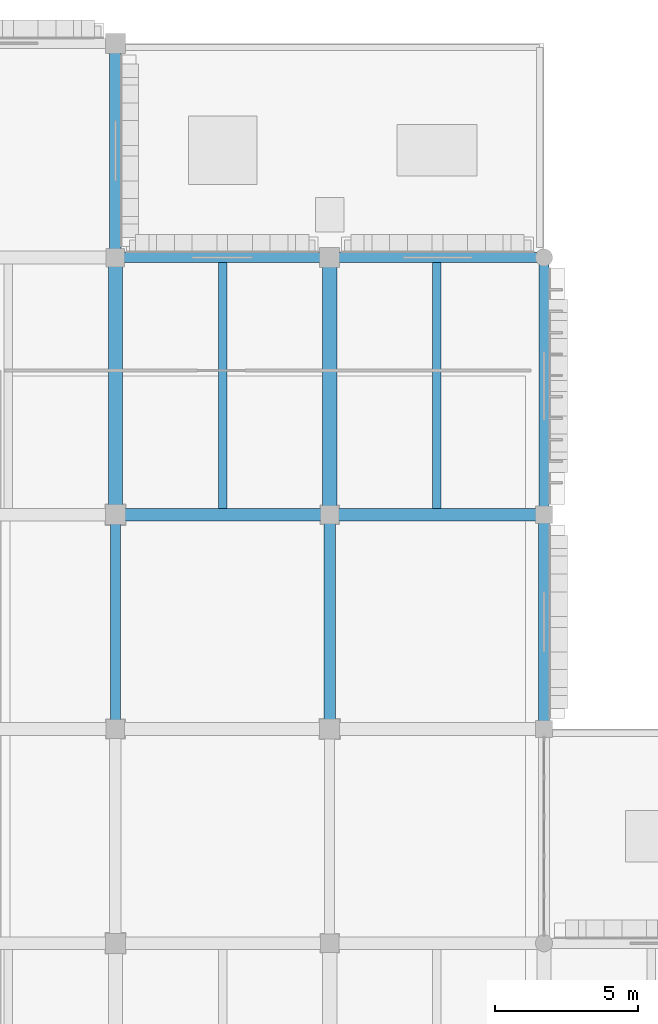
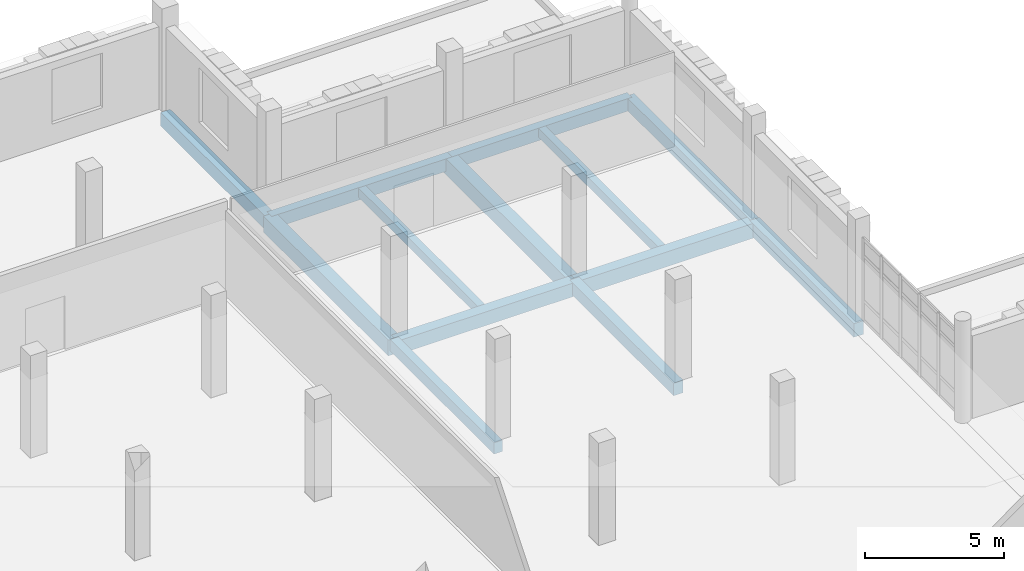
# One storey, part 70 of 128: 13 beams.
"""IFC4 building model written with IfcOpenShell, lengths in metres."""

from ifc_helpers import new_model, si_unit, direction, frame, origin, origin_2d, place, context, subcontext, project, spatial, rectangle, extrude, material, material_profile, profile_set, type_object, element, save


model = new_model("IFC4")

# Units and contexts
model_context = context("Model", 3, precision=1e-05, world=origin(), true_north=direction((0.0, 1.0)))
body_context = subcontext(model_context, "Body", "Model", "MODEL_VIEW")
ifc_project = project(units=[si_unit("LENGTHUNIT", "METRE"), si_unit("AREAUNIT", "SQUARE_METRE"), si_unit("VOLUMEUNIT", "CUBIC_METRE"), si_unit("PLANEANGLEUNIT", "RADIAN"), si_unit("MASSUNIT", "GRAM", prefix="KILO")], contexts=[model_context])

# Site, building, storey
site_placement = place(None, origin())
site = spatial("IfcSite", under=ifc_project, at=site_placement, CompositionType="ELEMENT")
building_placement = place(site_placement, origin())
building = spatial("IfcBuilding", under=site, at=building_placement, Name="Dalvernix Boulevard General Hospital", CompositionType="ELEMENT")
storey_placement = place(building_placement, frame((0.0, 0.0, 4.800048828125)))
storey = spatial("IfcBuildingStorey", under=building, at=storey_placement, Name="L01", CompositionType="ELEMENT", Elevation=4.800048828125)

# Beams
ifc_material = material(Name="Concrete C35/45", Category="concrete")
ifc_material_profile_1 = material_profile(ifc_material, rectangle(XDim=0.5, YDim=0.699951171875, at=origin_2d()), Name="RCB 500x700")
ifc_profile_set_1 = profile_set([ifc_material_profile_1], Name="Concrete C35/45")
beam_type_1 = type_object("IfcBeamType", Name="BM-B-01-I", PredefinedType="BEAM", material=ifc_profile_set_1)
for number, where, z_axis, x_axis, name in (
    (1, (127.5, 100.5, -0.650146484375), (0.0, 1.0, 0.0), (-1.0, 0.0, 0.0), "L01 N-S girder 18:P-Q"),
    (2, (135.0, 100.5, -0.650146484375), (0.0, 1.0, 0.0), (-1.0, 0.0, 0.0), "L01 N-S girder 19:P-Q"),
):
    element("IfcBeam", number, at=place(storey_placement, frame(where, z_axis=z_axis, x_axis=x_axis)), inside=storey, type_object=beam_type_1, Name=name, PredefinedType="BEAM", context=body_context, shape_type="SweptSolid", body=[
        extrude(rectangle(XDim=0.5, YDim=0.699951171875, at=origin_2d()), origin(), (0.0, 0.0, 1.0), 9.0),
    ])
ifc_material_profile_2 = material_profile(ifc_material, rectangle(XDim=0.449951171875, YDim=0.64990234375, at=origin_2d()), Name="RCB 450x650")
ifc_profile_set_2 = profile_set([ifc_material_profile_2], Name="Concrete C35/45")
beam_type_2 = type_object("IfcBeamType", Name="BM-B-03-I", PredefinedType="BEAM", material=ifc_profile_set_2)
beam_1_placement = place(storey_placement, frame((135.0, 100.5, -0.625), z_axis=(1.0, 0.0, 0.0), x_axis=(0.0, 1.0, 0.0)))
element("IfcBeam", 3, at=beam_1_placement, inside=storey, type_object=beam_type_2, Name="L01 E-W girder P:19-20", PredefinedType="BEAM", context=body_context, shape_type="SweptSolid", body=[
    extrude(rectangle(XDim=0.449951171875, YDim=0.64990234375, at=origin_2d()), origin(), (0.0, 0.0, 1.0), 7.5),
])
ifc_material_profile_3 = material_profile(ifc_material, rectangle(XDim=0.449951171875, YDim=0.60009765625, at=origin_2d()), Name="RCB 450x600")
ifc_profile_set_3 = profile_set([ifc_material_profile_3], Name="Concrete C35/45")
beam_type_3 = type_object("IfcBeamType", Name="BM-B-04-I", PredefinedType="BEAM", material=ifc_profile_set_3)
beam_2_placement = place(storey_placement, frame((127.5, 100.5, -0.60009765625), z_axis=(1.0, 0.0, 0.0), x_axis=(0.0, 1.0, 0.0)))
element("IfcBeam", 4, at=beam_2_placement, inside=storey, type_object=beam_type_3, Name="L01 E-W girder P:18-19", PredefinedType="BEAM", context=body_context, shape_type="SweptSolid", body=[
    extrude(rectangle(XDim=0.449951171875, YDim=0.60009765625, at=origin_2d()), origin(), (0.0, 0.0, 1.0), 7.5),
])
ifc_material_profile_4 = material_profile(ifc_material, rectangle(XDim=0.39990234375, YDim=0.550048828125, at=origin_2d()), Name="RCB 400x550")
ifc_profile_set_4 = profile_set([ifc_material_profile_4], Name="Concrete C35/45")
beam_type_4 = type_object("IfcBeamType", Name="BM-B-06-I", PredefinedType="BEAM", material=ifc_profile_set_4)
beam_3_placement = place(storey_placement, frame((135.0, 93.0, -0.574951171875), z_axis=(0.0, 1.0, 0.0), x_axis=(-1.0, 0.0, 0.0)))
element("IfcBeam", 5, at=beam_3_placement, inside=storey, type_object=beam_type_4, Name="L01 N-S girder 19:N-P", PredefinedType="BEAM", context=body_context, shape_type="SweptSolid", body=[
    extrude(rectangle(XDim=0.39990234375, YDim=0.550048828125, at=origin_2d()), origin(), (0.0, 0.0, 1.0), 7.5),
])
ifc_material_profile_5 = material_profile(ifc_material, rectangle(XDim=0.35009765625, YDim=0.5, at=origin_2d()), Name="RCB 350x500")
ifc_profile_set_5 = profile_set([ifc_material_profile_5], Name="Concrete C35/45")
beam_type_5 = type_object("IfcBeamType", Name="BM-B-08-I", PredefinedType="BEAM", material=ifc_profile_set_5)
beam_4_placement = place(storey_placement, frame((127.5, 93.0, -0.550048828125), z_axis=(0.0, 1.0, 0.0), x_axis=(-1.0, 0.0, 0.0)))
element("IfcBeam", 6, at=beam_4_placement, inside=storey, type_object=beam_type_5, Name="L01 N-S girder 18:N-P", PredefinedType="BEAM", context=body_context, shape_type="SweptSolid", body=[
    extrude(rectangle(XDim=0.35009765625, YDim=0.5, at=origin_2d()), origin(), (0.0, 0.0, 1.0), 7.5),
])
ifc_material_profile_6 = material_profile(ifc_material, rectangle(XDim=0.300048828125, YDim=0.39990234375, at=origin_2d()), Name="RCB 300x400")
ifc_profile_set_6 = profile_set([ifc_material_profile_6], Name="Concrete C35/45")
beam_type_6 = type_object("IfcBeamType", Name="BM-JB-01", PredefinedType="JOIST", material=ifc_profile_set_6)
for number, where, z_axis, x_axis, name in (
    (7, (131.25, 100.72509765625, -0.5), (0.0, 1.0, 0.0), (-1.0, 0.0, 0.0), "L01 secondary floor beam 18-P"),
    (8, (138.75, 100.72509765625, -0.5), (0.0, 1.0, 0.0), (-1.0, 0.0, 0.0), "L01 secondary floor beam 19-P"),
):
    element("IfcBeam", number, at=place(storey_placement, frame(where, z_axis=z_axis, x_axis=x_axis)), inside=storey, type_object=beam_type_6, Name=name, PredefinedType="JOIST", context=body_context, shape_type="SweptSolid", body=[
        extrude(rectangle(XDim=0.300048828125, YDim=0.39990234375, at=origin_2d()), origin(), (0.0, 0.0, 1.0), 8.599853515625),
    ])
ifc_material_profile_7 = material_profile(ifc_material, rectangle(XDim=0.35009765625, YDim=0.550048828125, at=origin_2d()), Name="RCB 350x550")
ifc_profile_set_7 = profile_set([ifc_material_profile_7], Name="Concrete C35/45")
beam_type_7 = type_object("IfcBeamType", Name="BM-SB-01-E", PredefinedType="SPANDREL", material=ifc_profile_set_7)
for number, where, z_axis, x_axis, name in (
    (9, (127.5, 109.5, -0.574951171875), (1.0, 0.0, 0.0), (0.0, 1.0, 0.0), "L01 E-W girder Q:18-19"),
    (10, (135.0, 109.5, -0.574951171875), (1.0, 0.0, 0.0), (0.0, 1.0, 0.0), "L01 E-W girder Q:19-20"),
):
    element("IfcBeam", number, at=place(storey_placement, frame(where, z_axis=z_axis, x_axis=x_axis)), inside=storey, type_object=beam_type_7, Name=name, PredefinedType="SPANDREL", context=body_context, shape_type="SweptSolid", body=[
        extrude(rectangle(XDim=0.35009765625, YDim=0.550048828125, at=origin_2d()), origin(), (0.0, 0.0, 1.0), 7.5),
    ])
beam_5_placement = place(storey_placement, frame((142.5, 100.5, -0.574951171875), z_axis=(0.0, 1.0, 0.0), x_axis=(-1.0, 0.0, 0.0)))
element("IfcBeam", 11, at=beam_5_placement, inside=storey, type_object=beam_type_7, Name="L01 N-S girder 20:P-Q", PredefinedType="SPANDREL", context=body_context, shape_type="SweptSolid", body=[
    extrude(rectangle(XDim=0.35009765625, YDim=0.550048828125, at=origin_2d()), origin(), (0.0, 0.0, 1.0), 9.0),
])
ifc_material_profile_8 = material_profile(ifc_material, rectangle(XDim=0.39990234375, YDim=0.60009765625, at=origin_2d()), Name="RCB 400x600")
ifc_profile_set_8 = profile_set([ifc_material_profile_8], Name="Concrete C35/45")
beam_type_8 = type_object("IfcBeamType", Name="BM-SB-02-E", PredefinedType="SPANDREL", material=ifc_profile_set_8)
for number, where, z_axis, x_axis, name in (
    (12, (127.5, 109.5, -0.60009765625), (0.0, 1.0, 0.0), (-1.0, 0.0, 0.0), "L01 N-S girder 18:Q-R"),
    (13, (142.5, 93.0, -0.60009765625), (0.0, 1.0, 0.0), (-1.0, 0.0, 0.0), "L01 N-S girder 20:N-P"),
):
    element("IfcBeam", number, at=place(storey_placement, frame(where, z_axis=z_axis, x_axis=x_axis)), inside=storey, type_object=beam_type_8, Name=name, PredefinedType="SPANDREL", context=body_context, shape_type="SweptSolid", body=[
        extrude(rectangle(XDim=0.39990234375, YDim=0.60009765625, at=origin_2d()), origin(), (0.0, 0.0, 1.0), 7.5),
    ])

save(model, "model.ifc")
